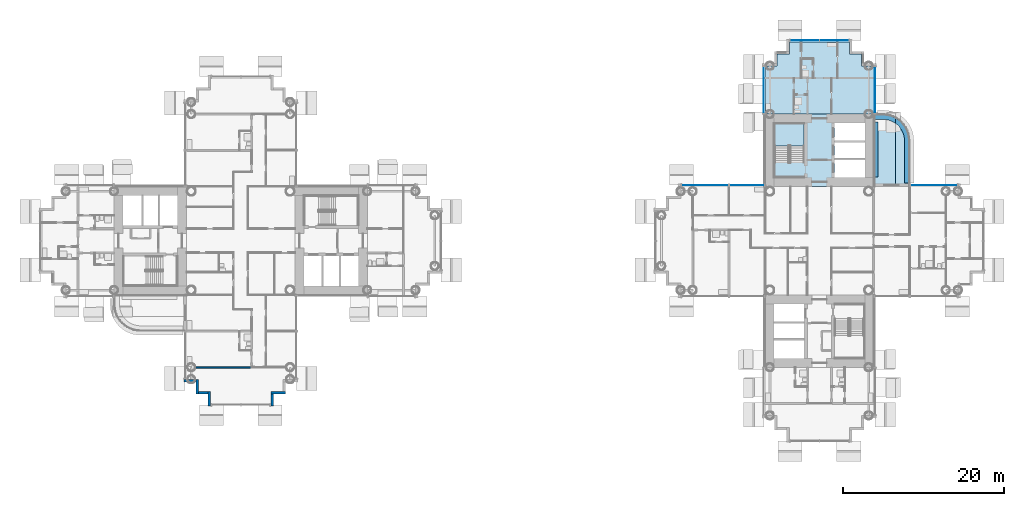
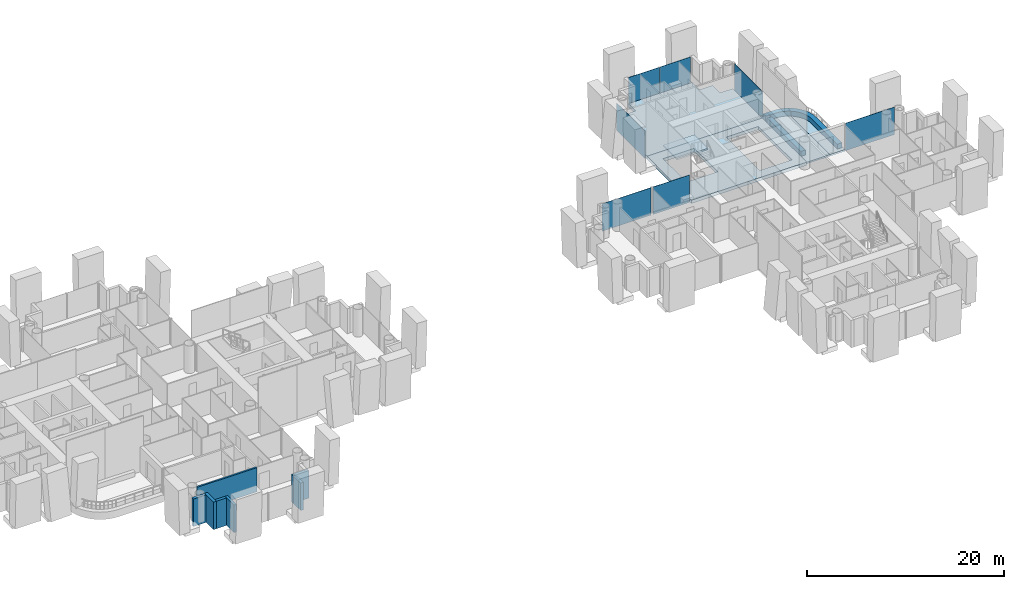
# One storey, part 9 of 25: 8 slabs, 7 plates, 7 walls, 7 elements without a shape of their own.
"""IFC4 building model written with IfcOpenShell, lengths in metres."""

import ifcopenshell
import ifcopenshell.guid

model = None  # the IFC model being written
_history = None  # IfcOwnerHistory: only IFC2X3 demands one
_inside = {}  # id of a spatial element -> (the spatial element, [elements in it])
_under = {}  # id of a project, library or spatial element -> (it, [spatial elements below it])
_declared = {}  # id of a project -> (the project, [libraries it declares])
_typed = {}  # id of a type object -> (the type object, [elements of that type])
_made_of = {}  # id of a material, layer set ... -> (it, [elements and type objects made of it])


def new_model(schema):
    """Start an empty IFC model of exactly this schema.

    Asked for "IFC4X3", IfcOpenShell would pick the latest addendum, in which some entities
    have other attributes; the version numbers below select the first issue.
    IFC2X3 requires an IfcOwnerHistory on every rooted entity: one is made here for all.
    """
    global model, _history
    if schema == "IFC4X3":
        model = ifcopenshell.file(schema_version=(4, 3, 0, 0))
    else:
        model = ifcopenshell.file(schema=schema)
    _inside.clear()
    _under.clear()
    _declared.clear()
    _typed.clear()
    _made_of.clear()
    _history = None
    if model.schema == "IFC2X3":
        org = make("IfcOrganization", Name="unknown")
        user = make(
            "IfcPersonAndOrganization",
            ThePerson=make("IfcPerson", FamilyName="unknown"),
            TheOrganization=org,
        )
        app = make(
            "IfcApplication",
            ApplicationDeveloper=org,
            Version="unknown",
            ApplicationFullName="unknown",
            ApplicationIdentifier="unknown",
        )
        _history = make(
            "IfcOwnerHistory",
            OwningUser=user,
            OwningApplication=app,
            ChangeAction="ADDED",
            CreationDate=0,
        )
    return model


def make(cls, **values):
    """One entity of the class cls with the attributes given. An attribute that is None is left unset."""
    return model.create_entity(
        cls, **{name: value for name, value in values.items() if value is not None}
    )


def rooted(cls, **values):
    """An entity with a GlobalId (a new one), such as an element, a storey or a relation."""
    return make(cls, GlobalId=ifcopenshell.guid.new(), OwnerHistory=_history, **values)


def si_unit(unit_type, name, prefix=None):
    """IfcSIUnit, for example si_unit("LENGTHUNIT", "METRE", prefix="MILLI")."""
    return make("IfcSIUnit", UnitType=unit_type, Prefix=prefix, Name=name)


def assignment(units):
    """IfcUnitAssignment: the units of a project."""
    return None if units is None else make("IfcUnitAssignment", Units=units)


def point(xyz):
    """IfcCartesianPoint."""
    return None if xyz is None else make("IfcCartesianPoint", Coordinates=xyz)


def direction(xyz):
    """IfcDirection."""
    return None if xyz is None else make("IfcDirection", DirectionRatios=xyz)


def frame(location, z_axis=None, x_axis=None):
    """IfcAxis2Placement3D, a coordinate frame: its origin and axes. An axis left out is left unset."""
    return make(
        "IfcAxis2Placement3D",
        Location=point(location),
        Axis=direction(z_axis),
        RefDirection=direction(x_axis),
    )


def frame_2d(location, x_axis=None):
    """IfcAxis2Placement2D, a coordinate frame in the plane: its origin and x axis."""
    return make(
        "IfcAxis2Placement2D", Location=point(location), RefDirection=direction(x_axis)
    )


def origin():
    """The frame at (0, 0, 0) with its axes left unset."""
    return frame((0.0, 0.0, 0.0))


def origin_2d():
    """The frame at (0, 0) in the plane with its x axis left unset."""
    return frame_2d((0.0, 0.0))


def place(relative_to, where):
    """IfcLocalPlacement: puts the frame where relative to a parent placement (None: the world)."""
    return make(
        "IfcLocalPlacement", PlacementRelTo=relative_to, RelativePlacement=where
    )


def context(
    kind, dimensions, precision=None, world=None, true_north=None, identifier=None
):
    """IfcGeometricRepresentationContext, for example the 3D "Model" context."""
    return make(
        "IfcGeometricRepresentationContext",
        ContextIdentifier=identifier,
        ContextType=kind,
        CoordinateSpaceDimension=dimensions,
        Precision=precision,
        WorldCoordinateSystem=world,
        TrueNorth=true_north,
    )


def subcontext(parent, identifier, kind, view, scale=None):
    """IfcGeometricRepresentationSubContext, for example "Body" below "Model"."""
    return make(
        "IfcGeometricRepresentationSubContext",
        ContextIdentifier=identifier,
        ContextType=kind,
        ParentContext=parent,
        TargetScale=scale,
        TargetView=view,
    )


def project(units=None, contexts=None):
    """IfcProject with its units and contexts."""
    return rooted(
        "IfcProject",
        Name="project",
        RepresentationContexts=contexts,
        UnitsInContext=assignment(units),
    )


def spatial(cls, under=None, at=None, **own):
    """A site, building, storey or space (cls), placed at a placement, below another one or the project."""
    s = rooted(cls, ObjectPlacement=at, **own)
    if under is not None:
        _under.setdefault(under.id(), (under, []))[1].append(s)
    return s


def polyline(points):
    """IfcPolyline through the points."""
    return make("IfcPolyline", Points=[point(p) for p in points])


def profile(cls, at=None, kind="AREA", **sizes):
    """A parametric profile (cls). Its sizes go by their IFC names, for example OverallWidth=200.0."""
    return make(cls, ProfileType=kind, Position=at, **sizes)


def rectangle(**sizes):
    """IfcRectangleProfileDef."""
    return profile("IfcRectangleProfileDef", **sizes)


def outline(outer, holes=None, kind="AREA"):
    """IfcArbitraryClosedProfileDef: a profile drawn as a closed curve; with holes, ...WithVoids."""
    if holes is None:
        return make("IfcArbitraryClosedProfileDef", ProfileType=kind, OuterCurve=outer)
    return make(
        "IfcArbitraryProfileDefWithVoids",
        ProfileType=kind,
        OuterCurve=outer,
        InnerCurves=holes,
    )


def extrude(swept, where, along, depth):
    """IfcExtrudedAreaSolid: the profile swept, set in the frame where, extruded along a direction by depth."""
    return make(
        "IfcExtrudedAreaSolid",
        SweptArea=swept,
        Position=where,
        ExtrudedDirection=direction(along),
        Depth=depth,
    )


def shape(context_of_items, identifier, shape_type, items):
    """IfcShapeRepresentation: the items that make up one representation, for example the "Body"."""
    return make(
        "IfcShapeRepresentation",
        ContextOfItems=context_of_items,
        RepresentationIdentifier=identifier,
        RepresentationType=shape_type,
        Items=items,
    )


def material(Name=None, Category=None):
    """IfcMaterial."""
    return make("IfcMaterial", Name=Name, Category=Category)


def layer(
    of_material, thickness, ventilated=None, Name=None, Category=None, Priority=None
):
    """IfcMaterialLayer: one layer of a wall or slab, of a material (None: an air gap)."""
    return make(
        "IfcMaterialLayer",
        Material=of_material,
        LayerThickness=thickness,
        IsVentilated=ventilated,
        Name=Name,
        Category=Category,
        Priority=Priority,
    )


def layer_set(layers, Name=None):
    """IfcMaterialLayerSet."""
    return make("IfcMaterialLayerSet", MaterialLayers=layers, LayerSetName=Name)


def made_of(thing, what):
    """Note that an element or type object is made of a material, layer set ...; save() writes the relation."""
    if what is not None:
        _made_of.setdefault(what.id(), (what, []))[1].append(thing)
    return thing


def type_object(cls, material=None, **own):
    """A type object (cls), such as IfcWallType, which elements share."""
    return made_of(rooted(cls, **own), material)


def element(
    cls,
    number,
    at=None,
    inside=None,
    cuts=None,
    type_object=None,
    material=None,
    context=None,
    identifier="Body",
    shape_type=None,
    held_by="IfcProductDefinitionShape",
    body=None,
    shapes=None,
    **own,
):
    """One element of the class cls, such as IfcWall. Its Tag is "e" and its number.

    at: its placement. inside: the storey or other place that contains it. cuts: it is an
    opening in that element (IfcRelVoidsElement). A single representation is given by context,
    identifier, shape_type and body (its items); several are given by shapes. held_by: the class
    of the entity that holds the representations. save() writes the other relations.
    """
    e = rooted(cls, Tag="e%d" % number, ObjectPlacement=at, **own)
    if body is not None:
        shapes = [shape(context, identifier, shape_type, body)]
    if shapes is not None:
        e.Representation = make(held_by, Representations=shapes)
    if inside is not None:
        _inside.setdefault(inside.id(), (inside, []))[1].append(e)
    if cuts is not None:
        rooted(
            "IfcRelVoidsElement", RelatingBuildingElement=cuts, RelatedOpeningElement=e
        )
    if type_object is not None:
        _typed.setdefault(type_object.id(), (type_object, []))[1].append(e)
    return made_of(e, material)


def aggregate(whole, parts):
    """IfcRelAggregates: a whole, such as a stair, and the parts it consists of."""
    return rooted("IfcRelAggregates", RelatingObject=whole, RelatedObjects=parts)


def save(model, path):
    """Write the relations noted so far, then the file.

    IfcRelAggregates (storeys below a building ...), IfcRelContainedInSpatialStructure (elements
    in a storey), IfcRelDefinesByType, IfcRelAssociatesMaterial and IfcRelDeclares: one each for
    every whole, place, type object, material and project.
    """
    for whole, parts in _under.values():
        aggregate(whole, parts)
    for where, things in _inside.values():
        rooted(
            "IfcRelContainedInSpatialStructure",
            RelatedElements=things,
            RelatingStructure=where,
        )
    for kind, things in _typed.values():
        rooted("IfcRelDefinesByType", RelatedObjects=things, RelatingType=kind)
    for what, things in _made_of.values():
        rooted("IfcRelAssociatesMaterial", RelatedObjects=things, RelatingMaterial=what)
    for by, libraries in _declared.values():
        rooted("IfcRelDeclares", RelatingContext=by, RelatedDefinitions=libraries)
    model.write(path)


model = new_model("IFC4")

# Units and contexts
model_context = context("Model", 3, precision=1e-05, world=origin(), true_north=direction((0.0, 1.0)))
body_context = subcontext(model_context, "Body", "Model", "MODEL_VIEW")
ifc_project = project(units=[si_unit("LENGTHUNIT", "METRE"), si_unit("AREAUNIT", "SQUARE_METRE"), si_unit("VOLUMEUNIT", "CUBIC_METRE"), si_unit("PLANEANGLEUNIT", "RADIAN"), si_unit("MASSUNIT", "GRAM", prefix="KILO")], contexts=[model_context])

# Site, building, storey
site_placement = place(None, origin())
site = spatial("IfcSite", under=ifc_project, at=site_placement, CompositionType="ELEMENT")
building_placement = place(site_placement, origin())
building = spatial("IfcBuilding", under=site, at=building_placement, Name="Ipe Terrace Towers", CompositionType="ELEMENT")
storey_placement = place(building_placement, frame((0.0, 0.0, 65.300048828125)))
storey = spatial("IfcBuildingStorey", under=building, at=storey_placement, Name="L17", CompositionType="ELEMENT", Elevation=65.300048828125)

# Slabs
ifc_material_1 = material(Name="Concrete C30/37", Category="concrete")
ifc_layer_1 = layer(ifc_material_1, 0.199951171875)
ifc_layer_set_1 = layer_set([ifc_layer_1], Name="BALCONY SLAB 200")
slab_type_1 = type_object("IfcSlabType", Name="BALCONY SLAB 200", PredefinedType="FLOOR", material=ifc_layer_set_1)
slab_1_placement = place(storey_placement, frame((0.0, 0.0, -0.219970703125)))
element("IfcSlab", 1, at=slab_1_placement, inside=storey, type_object=slab_type_1, Name="balcony slab", PredefinedType="FLOOR", context=body_context, shape_type="SweptSolid", body=[
    extrude(outline(polyline([(45.212890625, 15.4990234375), (44.803955078125, 15.637939453125), (44.381103515625, 15.721923828125), (43.949951171875, 15.75), (42.75, 15.75), (42.75, 6.75), (45.449951171875, 6.75), (45.449951171875, 15.382080078125), (45.212890625, 15.4990234375)])), origin(), (0.0, 0.0, 1.0), 0.199951171875),
])
slab_2_placement = place(storey_placement, frame((0.0, 0.0, -0.219970703125)))
element("IfcSlab", 2, at=slab_2_placement, inside=storey, type_object=slab_type_1, Name="balcony slab", PredefinedType="FLOOR", context=body_context, shape_type="SweptSolid", body=[
    extrude(outline(polyline([(47.25, 6.75), (47.25, 12.449951171875), (47.221923828125, 12.881103515625), (47.137939453125, 13.303955078125), (46.9990234375, 13.712890625), (46.80810546875, 14.10009765625), (46.568115234375, 14.458984375), (46.282958984375, 14.782958984375), (45.958984375, 15.068115234375), (45.60009765625, 15.30810546875), (45.449951171875, 15.382080078125), (45.449951171875, 6.75), (47.25, 6.75)])), origin(), (0.0, 0.0, 1.0), 0.199951171875),
])
ifc_material_2 = material(Name="Concrete C30/37", Category="concrete")
ifc_layer_2 = layer(ifc_material_2, 0.39990234375)
ifc_layer_set_2 = layer_set([ifc_layer_2], Name="CORE FLOOR SLAB 400 C30-37")
slab_type_2 = type_object("IfcSlabType", Name="CORE FLOOR SLAB 400 C30-37", PredefinedType="FLOOR", material=ifc_layer_set_2)
slab_3_placement = place(storey_placement, frame((0.0, 0.0, -0.400146484375)))
element("IfcSlab", 3, at=slab_3_placement, inside=storey, type_object=slab_type_2, Name="Core floor T2-C1", PredefinedType="FLOOR", context=body_context, shape_type="SweptSolid", body=[
    extrude(outline(polyline([(29.25, 6.75), (29.25, 15.75), (42.75, 15.75), (42.75, 6.75), (29.25, 6.75)]), holes=[polyline([(41.64990234375, 7.85009765625), (41.64990234375, 14.64990234375), (37.89990234375, 14.64990234375), (37.89990234375, 7.85009765625), (41.64990234375, 7.85009765625)]), polyline([(30.449951171875, 9.800048828125), (34.10009765625, 9.800048828125), (34.10009765625, 14.550048828125), (30.449951171875, 14.550048828125), (30.449951171875, 9.800048828125)])]), origin(), (0.0, 0.0, 1.0), 0.400146484375),
])

# Stair, slab
ifc_material_3 = material(Name="Concrete C30/37", Category="concrete")
stair_type = type_object("IfcStairType", Name="Protected exit stair", PredefinedType="HALF_TURN_STAIR", material=ifc_material_3)
stair_placement = place(storey_placement, origin())
stair = element("IfcStair", 4, at=stair_placement, inside=storey, type_object=stair_type, Name="L17 Exit stair T2-C1", PredefinedType="HALF_TURN_STAIR")
ifc_material_4 = material(Name="Concrete C30/37", Category="concrete")
ifc_layer_3 = layer(ifc_material_4, 0.199951171875)
ifc_layer_set_3 = layer_set([ifc_layer_3], Name="Exit stair landing 200")
slab_type_3 = type_object("IfcSlabType", Name="Exit stair landing 200", PredefinedType="LANDING", material=ifc_layer_set_3)
slab_4_placement = place(storey_placement, frame((0.0, 0.0, 1.5)))
slab_4 = element("IfcSlab", 5, at=slab_4_placement, type_object=slab_type_3, Name="T2-ST1 landing 1", PredefinedType="LANDING", context=body_context, shape_type="SweptSolid", body=[
    extrude(outline(polyline([(34.10009765625, 11.780029296875), (34.10009765625, 14.550048828125), (30.449951171875, 14.550048828125), (30.449951171875, 11.780029296875), (34.10009765625, 11.780029296875)])), origin(), (0.0, 0.0, 1.0), 0.199951171875),
])
aggregate(stair, [slab_4])

# Slabs
ifc_material_5 = material(Name="Concrete C40/50", Category="concrete")
ifc_layer_4 = layer(ifc_material_5, 0.39990234375)
ifc_layer_set_4 = layer_set([ifc_layer_4], Name="FLAT PLATE SLAB 400 C40-50")
slab_type_4 = type_object("IfcSlabType", Name="FLAT PLATE SLAB 400 C40-50", PredefinedType="FLOOR", material=ifc_layer_set_4)
slab_5_placement = place(storey_placement, frame((0.0, 0.0, -0.400146484375)))
element("IfcSlab", 6, at=slab_5_placement, inside=storey, type_object=slab_type_4, Name="Slab T2-FS-Z13", PredefinedType="FLOOR", context=body_context, shape_type="SweptSolid", body=[
    extrude(outline(polyline([(30.75, 21.75), (30.75, 23.25), (32.25, 23.25), (32.25, 24.75), (39.75, 24.75), (39.75, 23.25), (41.25, 23.25), (41.25, 21.75), (42.75, 21.75), (42.75, 15.75), (29.25, 15.75), (29.25, 21.75), (30.75, 21.75)])), origin(), (0.0, 0.0, 1.0), 0.400146484375),
])
ifc_material_6 = material(Name="Concrete C30/37", Category="concrete")
ifc_layer_5 = layer(ifc_material_6, 0.60009765625)
ifc_layer_set_5 = layer_set([ifc_layer_5], Name="PLANTER TROUGH 550 x 600")
slab_type_5 = type_object("IfcSlabType", Name="PLANTER TROUGH 550 x 600", PredefinedType="USERDEFINED", material=ifc_layer_set_5)
slab_6_placement = place(storey_placement, frame((0.0, 0.0, -0.02001953125)))
element("IfcSlab", 7, at=slab_6_placement, inside=storey, type_object=slab_type_5, Name="planter", ObjectType="PLANTER", PredefinedType="USERDEFINED", context=body_context, shape_type="SweptSolid", body=[
    extrude(outline(polyline([(44.633056640625, 14.9990234375), (44.9599609375, 14.887939453125), (45.26904296875, 14.735107421875), (45.449951171875, 14.614013671875), (45.449951171875, 15.259033203125), (45.18701171875, 15.388916015625), (45.154052734375, 15.403076171875), (44.79296875, 15.52490234375), (44.758056640625, 15.534912109375), (44.384033203125, 15.60888671875), (44.347900390625, 15.614013671875), (43.955078125, 15.638916015625), (43.93701171875, 15.639892578125), (42.75, 15.639892578125), (42.75, 15.090087890625), (43.927978515625, 15.090087890625), (44.2939453125, 15.06591796875), (44.633056640625, 14.9990234375)])), origin(), (0.0, 0.0, 1.0), 0.599853515625),
])
slab_7_placement = place(storey_placement, frame((0.0, 0.0, -0.02001953125)))
element("IfcSlab", 8, at=slab_7_placement, inside=storey, type_object=slab_type_5, Name="planter", ObjectType="PLANTER", PredefinedType="USERDEFINED", context=body_context, shape_type="SweptSolid", body=[
    extrude(outline(polyline([(45.555908203125, 14.54296875), (45.81591796875, 14.31591796875), (46.04296875, 14.055908203125), (46.235107421875, 13.76904296875), (46.387939453125, 13.4599609375), (46.4990234375, 13.133056640625), (46.56591796875, 12.7939453125), (46.590087890625, 12.427978515625), (46.590087890625, 7.199951171875), (47.139892578125, 7.199951171875), (47.139892578125, 12.43701171875), (47.138916015625, 12.455078125), (47.114013671875, 12.847900390625), (47.10888671875, 12.884033203125), (47.034912109375, 13.258056640625), (47.02490234375, 13.29296875), (46.903076171875, 13.654052734375), (46.888916015625, 13.68701171875), (46.719970703125, 14.029052734375), (46.701904296875, 14.06005859375), (46.490966796875, 14.376953125), (46.468994140625, 14.405029296875), (46.217041015625, 14.69189453125), (46.19189453125, 14.717041015625), (45.905029296875, 14.968994140625), (45.876953125, 14.990966796875), (45.56005859375, 15.201904296875), (45.529052734375, 15.219970703125), (45.449951171875, 15.259033203125), (45.449951171875, 14.614013671875), (45.555908203125, 14.54296875)])), origin(), (0.0, 0.0, 1.0), 0.599853515625),
])
slab_8_placement = place(storey_placement, frame((0.0, 0.0, -0.02001953125)))
element("IfcSlab", 9, at=slab_8_placement, inside=storey, type_object=slab_type_5, Name="planter", ObjectType="PLANTER", PredefinedType="USERDEFINED", context=body_context, shape_type="SweptSolid", body=[
    extrude(outline(polyline([(42.75, 7.949951171875), (43.300048828125, 7.949951171875), (43.300048828125, 14.75), (42.75, 14.75), (42.75, 7.949951171875)])), origin(), (0.0, 0.0, 1.0), 0.599853515625),
])

# Curtain wall, plate
ifc_material_7 = material(Name="Aluminium alloy 6063-T6", Category="aluminium")
ifc_layer_6 = layer(ifc_material_7, 0.320068359375)
ifc_layer_set_6 = layer_set([ifc_layer_6], Name="TOWER UNITISED CURTAIN WALL")
curtain_wall_type = type_object("IfcCurtainWallType", Name="TOWER UNITISED CURTAIN WALL", PredefinedType="NOTDEFINED", material=ifc_layer_set_6)
curtain_wall_1_placement = place(storey_placement, origin())
curtain_wall_1 = element("IfcCurtainWall", 10, at=curtain_wall_1_placement, inside=storey, type_object=curtain_wall_type, Name="T2-CW-L17-17a curtain wall", PredefinedType="NOTDEFINED")
ifc_material_8 = material(Name="Glass, clear laminated", Category="glass")
ifc_layer_7 = layer(ifc_material_8, 0.031982421875)
ifc_layer_set_7 = layer_set([ifc_layer_7], Name="TOWER UNITISED GLASS PANEL 32")
plate_type = type_object("IfcPlateType", Name="TOWER UNITISED GLASS PANEL 32", PredefinedType="CURTAIN_PANEL", material=ifc_layer_set_7)
plate_1_placement = place(storey_placement, frame((50.25, 6.909912109375, -0.300048828125), z_axis=(0.0, 0.0, 1.0), x_axis=(-1.0, 0.0, 0.0)))
plate_1 = element("IfcPlate", 11, at=plate_1_placement, type_object=plate_type, Name="T2-CW-L17-17a panel 1", PredefinedType="CURTAIN_PANEL", context=body_context, shape_type="SweptSolid", body=[
    extrude(rectangle(XDim=5.760009765625, YDim=0.031982421875, at=origin_2d()), origin(), (0.0, 0.0, 1.0), 3.39990234375),
])
aggregate(curtain_wall_1, [plate_1])

curtain_wall_2_placement = place(storey_placement, origin())
curtain_wall_2 = element("IfcCurtainWall", 12, at=curtain_wall_2_placement, inside=storey, type_object=curtain_wall_type, Name="T2-CW-L17-20b curtain wall", PredefinedType="NOTDEFINED")
plate_2_placement = place(storey_placement, frame((42.909912109375, 18.75048828125, -0.300048828125), z_axis=(0.0, 0.0, 1.0), x_axis=(0.0, 1.0, 0.0)))
plate_2 = element("IfcPlate", 13, at=plate_2_placement, type_object=plate_type, Name="T2-CW-L17-20b panel 1", PredefinedType="CURTAIN_PANEL", context=body_context, shape_type="SweptSolid", body=[
    extrude(rectangle(XDim=5.759033203125, YDim=0.031982421875, at=origin_2d()), origin(), (0.0, 0.0, 1.0), 3.39990234375),
])
aggregate(curtain_wall_2, [plate_2])

# Curtain wall, plates
curtain_wall_3_placement = place(storey_placement, origin())
curtain_wall_3 = element("IfcCurtainWall", 14, at=curtain_wall_3_placement, inside=storey, type_object=curtain_wall_type, Name="T2-CW-L17-25a curtain wall", PredefinedType="NOTDEFINED")
plate_3_placement = place(storey_placement, frame((37.831298828125, 24.909912109375, -0.300048828125), z_axis=(0.0, 0.0, 1.0), x_axis=(-1.0, 0.0, 0.0)))
plate_3 = element("IfcPlate", 15, at=plate_3_placement, type_object=plate_type, Name="T2-CW-L17-25a panel 1", PredefinedType="CURTAIN_PANEL", context=body_context, shape_type="SweptSolid", body=[
    extrude(rectangle(XDim=3.597412109375, YDim=0.031982421875, at=origin_2d()), origin(), (0.0, 0.0, 1.0), 3.39990234375),
])
plate_4_placement = place(storey_placement, frame((34.168701171875, 24.909912109375, -0.300048828125), z_axis=(0.0, 0.0, 1.0), x_axis=(-1.0, 0.0, 0.0)))
plate_4 = element("IfcPlate", 16, at=plate_4_placement, type_object=plate_type, Name="T2-CW-L17-25a panel 2", PredefinedType="CURTAIN_PANEL", context=body_context, shape_type="SweptSolid", body=[
    extrude(rectangle(XDim=3.597412109375, YDim=0.031982421875, at=origin_2d()), origin(), (0.0, 0.0, 1.0), 3.39990234375),
])
aggregate(curtain_wall_3, [plate_3, plate_4])

# Curtain wall, plate
curtain_wall_4_placement = place(storey_placement, origin())
curtain_wall_4 = element("IfcCurtainWall", 17, at=curtain_wall_4_placement, inside=storey, type_object=curtain_wall_type, Name="T2-CW-L17-30a curtain wall", PredefinedType="NOTDEFINED")
plate_5_placement = place(storey_placement, frame((29.090087890625, 18.75048828125, -0.300048828125), z_axis=(0.0, 0.0, 1.0), x_axis=(0.0, -1.0, 0.0)))
plate_5 = element("IfcPlate", 18, at=plate_5_placement, type_object=plate_type, Name="T2-CW-L17-30a panel 1", PredefinedType="CURTAIN_PANEL", context=body_context, shape_type="SweptSolid", body=[
    extrude(rectangle(XDim=5.759033203125, YDim=0.031982421875, at=origin_2d()), origin(), (0.0, 0.0, 1.0), 3.39990234375),
])
aggregate(curtain_wall_4, [plate_5])

curtain_wall_5_placement = place(storey_placement, origin())
curtain_wall_5 = element("IfcCurtainWall", 19, at=curtain_wall_5_placement, inside=storey, type_object=curtain_wall_type, Name="T2-CW-L17-32a curtain wall", PredefinedType="NOTDEFINED")
plate_6_placement = place(storey_placement, frame((27.0, 6.909912109375, -0.300048828125), z_axis=(0.0, 0.0, 1.0), x_axis=(-1.0, 0.0, 0.0)))
plate_6 = element("IfcPlate", 20, at=plate_6_placement, type_object=plate_type, Name="T2-CW-L17-32a panel 1", PredefinedType="CURTAIN_PANEL", context=body_context, shape_type="SweptSolid", body=[
    extrude(rectangle(XDim=4.260009765625, YDim=0.031982421875, at=origin_2d()), origin(), (0.0, 0.0, 1.0), 3.39990234375),
])
aggregate(curtain_wall_5, [plate_6])

curtain_wall_6_placement = place(storey_placement, origin())
curtain_wall_6 = element("IfcCurtainWall", 21, at=curtain_wall_6_placement, inside=storey, type_object=curtain_wall_type, Name="T2-CW-L17-33a curtain wall", PredefinedType="NOTDEFINED")
plate_7_placement = place(storey_placement, frame((21.75, 6.909912109375, -0.300048828125), z_axis=(0.0, 0.0, 1.0), x_axis=(-1.0, 0.0, 0.0)))
plate_7 = element("IfcPlate", 22, at=plate_7_placement, type_object=plate_type, Name="T2-CW-L17-33a panel 1", PredefinedType="CURTAIN_PANEL", context=body_context, shape_type="SweptSolid", body=[
    extrude(rectangle(XDim=5.760009765625, YDim=0.031982421875, at=origin_2d()), origin(), (0.0, 0.0, 1.0), 3.39990234375),
])
aggregate(curtain_wall_6, [plate_7])

# Walls
ifc_material_9 = material(Name="Concrete C40/50 with buff precast cladding", Category="concrete")
ifc_layer_8 = layer(ifc_material_9, 0.320068359375)
ifc_layer_set_8 = layer_set([ifc_layer_8], Name="BUFF CLADDING WALL 320")
wall_type_1 = type_object("IfcWallType", Name="BUFF CLADDING WALL 320", PredefinedType="STANDARD", material=ifc_layer_set_8)
wall_1_placement = place(storey_placement, frame((-43.070068359375, -17.409912109375, -0.300048828125), z_axis=(0.0, 0.0, 1.0), x_axis=(1.0, 0.0, 0.0)))
element("IfcWall", 23, at=wall_1_placement, inside=storey, type_object=wall_type_1, Name="T1-W-L17-08a wall", PredefinedType="STANDARD", context=body_context, shape_type="SweptSolid", body=[
    extrude(rectangle(XDim=1.5, YDim=0.320068359375, at=frame_2d((0.75, 0.0))), origin(), (0.0, 0.0, 1.0), 3.39990234375),
])
wall_2_placement = place(storey_placement, frame((-41.409912109375, -17.25, -0.300048828125), z_axis=(0.0, 0.0, 1.0), x_axis=(0.0, -1.0, 0.0)))
element("IfcWall", 24, at=wall_2_placement, inside=storey, type_object=wall_type_1, Name="T1-W-L17-09a wall", PredefinedType="STANDARD", context=body_context, shape_type="SweptSolid", body=[
    extrude(rectangle(XDim=1.820068359375, YDim=0.320068359375, at=frame_2d((0.91015625, 0.0))), origin(), (0.0, 0.0, 1.0), 3.39990234375),
])
wall_3_placement = place(storey_placement, frame((-41.25, -18.909912109375, -0.300048828125), z_axis=(0.0, 0.0, 1.0), x_axis=(1.0, 0.0, 0.0)))
element("IfcWall", 25, at=wall_3_placement, inside=storey, type_object=wall_type_1, Name="T1-W-L17-10a wall", PredefinedType="STANDARD", context=body_context, shape_type="SweptSolid", body=[
    extrude(rectangle(XDim=1.179931640625, YDim=0.320068359375, at=frame_2d((0.58984375, 0.0))), origin(), (0.0, 0.0, 1.0), 3.39990234375),
])
wall_4_placement = place(storey_placement, frame((-39.909912109375, -18.75, -0.300048828125), z_axis=(0.0, 0.0, 1.0), x_axis=(0.0, -1.0, 0.0)))
element("IfcWall", 26, at=wall_4_placement, inside=storey, type_object=wall_type_1, Name="T1-W-L17-11a wall", PredefinedType="STANDARD", context=body_context, shape_type="SweptSolid", body=[
    extrude(rectangle(XDim=1.820068359375, YDim=0.320068359375, at=frame_2d((0.91015625, 0.0))), origin(), (0.0, 0.0, 1.0), 3.39990234375),
])
wall_5_placement = place(storey_placement, frame((-32.090087890625, -20.570068359375, -0.300048828125), z_axis=(0.0, 0.0, 1.0), x_axis=(0.0, 1.0, 0.0)))
element("IfcWall", 27, at=wall_5_placement, inside=storey, type_object=wall_type_1, Name="T1-W-L17-13a wall", PredefinedType="STANDARD", context=body_context, shape_type="SweptSolid", body=[
    extrude(rectangle(XDim=1.5, YDim=0.320068359375, at=frame_2d((0.75, 0.0))), origin(), (0.0, 0.0, 1.0), 3.39990234375),
])
wall_6_placement = place(storey_placement, frame((-32.25, -18.909912109375, -0.300048828125), z_axis=(0.0, 0.0, 1.0), x_axis=(1.0, 0.0, 0.0)))
element("IfcWall", 28, at=wall_6_placement, inside=storey, type_object=wall_type_1, Name="T1-W-L17-14a wall", PredefinedType="STANDARD", context=body_context, shape_type="SweptSolid", body=[
    extrude(rectangle(XDim=1.820068359375, YDim=0.320068359375, at=frame_2d((0.91015625, 0.0))), origin(), (0.0, 0.0, 1.0), 3.39990234375),
])
ifc_material_10 = material(Name="Gypsum board party wall", Category="plasterboard")
ifc_layer_9 = layer(ifc_material_10, 0.199951171875)
ifc_layer_set_9 = layer_set([ifc_layer_9], Name="Gypsum board party wall 200 mm")
wall_type_2 = type_object("IfcWallType", Name="Gypsum board party wall 200 mm", PredefinedType="SOLIDWALL", material=ifc_layer_set_9)
wall_7_placement = place(storey_placement, frame((-41.64990234375, -15.75, 0.0), z_axis=(0.0, 0.0, 1.0), x_axis=(1.0, 0.0, 0.0)))
element("IfcWall", 29, at=wall_7_placement, inside=storey, type_object=wall_type_2, Name="Gypsum board party wall T1 L17 W23", PredefinedType="SOLIDWALL", context=body_context, shape_type="SweptSolid", body=[
    extrude(rectangle(XDim=7.0, YDim=0.199951171875, at=frame_2d((3.5, 0.0))), origin(), (0.0, 0.0, 1.0), 3.0),
])

save(model, "model.ifc")
